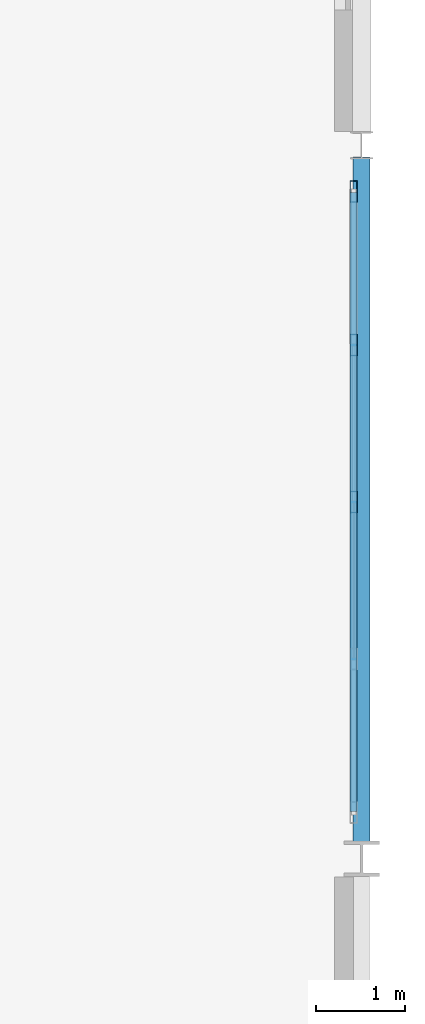
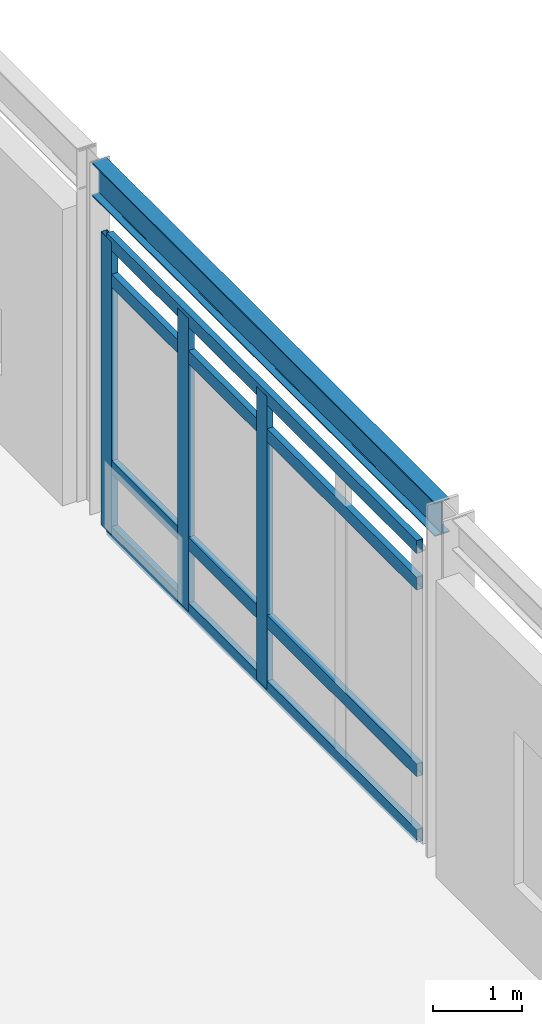
# One storey, part 24 of 56: 7 members, 1 beam, 1 element without a shape of its own.
"""IFC4 building model written with IfcOpenShell, lengths in metres."""

from ifc_helpers import new_model, si_unit, direction, frame, origin, origin_2d, place, context, subcontext, project, spatial, hollow_rectangle, i_section, extrude, material, material_profile, profile_set, type_object, element, aggregate, save


model = new_model("IFC4")

# Units and contexts
model_context = context("Model", 3, precision=1e-05, world=origin(), true_north=direction((0.0, 1.0)))
body_context = subcontext(model_context, "Body", "Model", "MODEL_VIEW")
ifc_project = project(units=[si_unit("LENGTHUNIT", "METRE"), si_unit("AREAUNIT", "SQUARE_METRE"), si_unit("VOLUMEUNIT", "CUBIC_METRE"), si_unit("PLANEANGLEUNIT", "RADIAN"), si_unit("MASSUNIT", "GRAM", prefix="KILO"), si_unit("THERMODYNAMICTEMPERATUREUNIT", "KELVIN"), si_unit("POWERUNIT", "WATT")], contexts=[model_context])

# Site, building, storey
site_placement = place(None, origin())
site = spatial("IfcSite", under=ifc_project, at=site_placement, CompositionType="ELEMENT")
building_placement = place(site_placement, origin())
building = spatial("IfcBuilding", under=site, at=building_placement, Name="Tepalcoro Natatorium and Aquatics Centre", CompositionType="ELEMENT")
storey_placement = place(building_placement, frame((0.0, 0.0, 14.800048828125)))
storey = spatial("IfcBuildingStorey", under=building, at=storey_placement, Name="L03", CompositionType="ELEMENT", Elevation=14.800048828125)

# Curtain wall, members
ifc_material_1 = material(Name="Bronze-Anodised Extruded Aluminium Alloy EN AW-6063 T6", Category="aluminium")
curtain_wall_type = type_object("IfcCurtainWallType", Name="CW_V1_PLINTH", PredefinedType="USERDEFINED", material=ifc_material_1)
curtain_wall_placement = place(storey_placement, origin())
curtain_wall = element("IfcCurtainWall", 1, at=curtain_wall_placement, inside=storey, type_object=curtain_wall_type, Name="V2 L03 E Unitised Curtain Wall Bay 4", ObjectType="UNITISED STOREFRONT", PredefinedType="USERDEFINED")
ifc_material_profile_1 = material_profile(ifc_material_1, hollow_rectangle(XDim=0.080078125, YDim=0.239990234375, WallThickness=0.0048828125, at=origin_2d()), Name="AL80X240X5")
ifc_profile_set_1 = profile_set([ifc_material_profile_1], Name="Bronze-Anodised Extruded Aluminium Alloy EN AW-6063 T6")
member_type_1 = type_object("IfcMemberType", Name="CW_MUL_80x240", PredefinedType="MULLION", material=ifc_profile_set_1)
member_1_placement = place(storey_placement, frame((175.909912109375, 32.0, 0.02001953125), z_axis=(0.0, 0.0, 1.0), x_axis=(1.0, 0.0, 0.0)))
member_1 = element("IfcMember", 2, at=member_1_placement, type_object=member_type_1, Name="CW_V1_PLINTH Curtain Wall Mullion", PredefinedType="MULLION", context=body_context, shape_type="SweptSolid", body=[
    extrude(hollow_rectangle(XDim=0.080078125, YDim=0.239990234375, WallThickness=0.0048828125, at=origin_2d()), origin(), (0.0, 0.0, 1.0), 4.010009765625),
])
member_2_placement = place(storey_placement, frame((175.909912109375, 33.760009765625, 0.02001953125), z_axis=(0.0, 0.0, 1.0), x_axis=(1.0, 0.0, 0.0)))
member_2 = element("IfcMember", 3, at=member_2_placement, type_object=member_type_1, Name="CW_V1_PLINTH Curtain Wall Mullion", PredefinedType="MULLION", context=body_context, shape_type="SweptSolid", body=[
    extrude(hollow_rectangle(XDim=0.080078125, YDim=0.239990234375, WallThickness=0.0048828125, at=origin_2d()), origin(), (0.0, 0.0, 1.0), 4.010009765625),
])
member_3_placement = place(storey_placement, frame((175.909912109375, 35.47998046875, 0.02001953125), z_axis=(0.0, 0.0, 1.0), x_axis=(1.0, 0.0, 0.0)))
member_3 = element("IfcMember", 4, at=member_3_placement, type_object=member_type_1, Name="CW_V1_PLINTH Curtain Wall Mullion", PredefinedType="MULLION", context=body_context, shape_type="SweptSolid", body=[
    extrude(hollow_rectangle(XDim=0.080078125, YDim=0.239990234375, WallThickness=0.0048828125, at=origin_2d()), origin(), (0.0, 0.0, 1.0), 4.010009765625),
])
ifc_material_profile_2 = material_profile(ifc_material_1, hollow_rectangle(XDim=0.080078125, YDim=0.179931640625, WallThickness=0.0048828125, at=origin_2d()), Name="AL80X180X5")
ifc_profile_set_2 = profile_set([ifc_material_profile_2], Name="Bronze-Anodised Extruded Aluminium Alloy EN AW-6063 T6")
member_type_2 = type_object("IfcMemberType", Name="CW_TRN_80x180", PredefinedType="USERDEFINED", material=ifc_profile_set_2)
member_4_placement = place(storey_placement, frame((175.909912109375, 28.530029296875, 0.050048828125), z_axis=(0.0, 1.0, 0.0), x_axis=(-1.0, 0.0, 0.0)))
member_4 = element("IfcMember", 5, at=member_4_placement, type_object=member_type_2, Name="CW_V1_PLINTH Curtain Wall Transom", ObjectType="TRANSOM", PredefinedType="USERDEFINED", context=body_context, shape_type="SweptSolid", body=[
    extrude(hollow_rectangle(XDim=0.080078125, YDim=0.179931640625, WallThickness=0.0048828125, at=origin_2d()), origin(), (0.0, 0.0, 1.0), 6.93994140625),
])
member_5_placement = place(storey_placement, frame((175.909912109375, 28.530029296875, 0.949951171875), z_axis=(0.0, 1.0, 0.0), x_axis=(-1.0, 0.0, 0.0)))
member_5 = element("IfcMember", 6, at=member_5_placement, type_object=member_type_2, Name="CW_V1_PLINTH Curtain Wall Transom", ObjectType="TRANSOM", PredefinedType="USERDEFINED", context=body_context, shape_type="SweptSolid", body=[
    extrude(hollow_rectangle(XDim=0.080078125, YDim=0.179931640625, WallThickness=0.0048828125, at=origin_2d()), origin(), (0.0, 0.0, 1.0), 6.93994140625),
])
member_6_placement = place(storey_placement, frame((175.909912109375, 28.530029296875, 3.5), z_axis=(0.0, 1.0, 0.0), x_axis=(-1.0, 0.0, 0.0)))
member_6 = element("IfcMember", 7, at=member_6_placement, type_object=member_type_2, Name="CW_V1_PLINTH Curtain Wall Transom", ObjectType="TRANSOM", PredefinedType="USERDEFINED", context=body_context, shape_type="SweptSolid", body=[
    extrude(hollow_rectangle(XDim=0.080078125, YDim=0.179931640625, WallThickness=0.0048828125, at=origin_2d()), origin(), (0.0, 0.0, 1.0), 6.93994140625),
])
member_7_placement = place(storey_placement, frame((175.909912109375, 28.530029296875, 4.0), z_axis=(0.0, 1.0, 0.0), x_axis=(-1.0, 0.0, 0.0)))
member_7 = element("IfcMember", 8, at=member_7_placement, type_object=member_type_2, Name="CW_V1_PLINTH Curtain Wall Transom", ObjectType="TRANSOM", PredefinedType="USERDEFINED", context=body_context, shape_type="SweptSolid", body=[
    extrude(hollow_rectangle(XDim=0.080078125, YDim=0.179931640625, WallThickness=0.0048828125, at=origin_2d()), origin(), (0.0, 0.0, 1.0), 6.93994140625),
])
aggregate(curtain_wall, [member_1, member_2, member_3, member_4, member_5, member_6, member_7])

# Beam
ifc_material_2 = material(Name="Steel ASTM A992 Grade 50 (Fy 345 MPa)", Category="steel")
ifc_material_profile_3 = material_profile(ifc_material_2, i_section(OverallWidth=0.19091796875, OverallDepth=0.4599609375, WebThickness=0.010009765625, FlangeThickness=0.01611328125, FilletRadius=0.013916015625, at=origin_2d()), Name="W18X55")
ifc_profile_set_3 = profile_set([ifc_material_profile_3], Name="Steel ASTM A992 Grade 50 (Fy 345 MPa)")
beam_type = type_object("IfcBeamType", Name="SP_W18x55", PredefinedType="SPANDREL", material=ifc_profile_set_3)
beam_placement = place(storey_placement, frame((176.0, 28.178466796875, 4.574951171875), z_axis=(0.0, 1.0, 0.0), x_axis=(-1.0, 0.0, 0.0)))
element("IfcBeam", 9, at=beam_placement, inside=storey, type_object=beam_type, Name="V2 L03 Grid Girder Y", PredefinedType="SPANDREL", context=body_context, shape_type="SweptSolid", body=[
    extrude(i_section(OverallWidth=0.19091796875, OverallDepth=0.4599609375, WebThickness=0.010009765625, FlangeThickness=0.01611328125, FilletRadius=0.013916015625, at=origin_2d()), origin(), (0.0, 0.0, 1.0), 7.68896484375),
])

save(model, "model.ifc")
